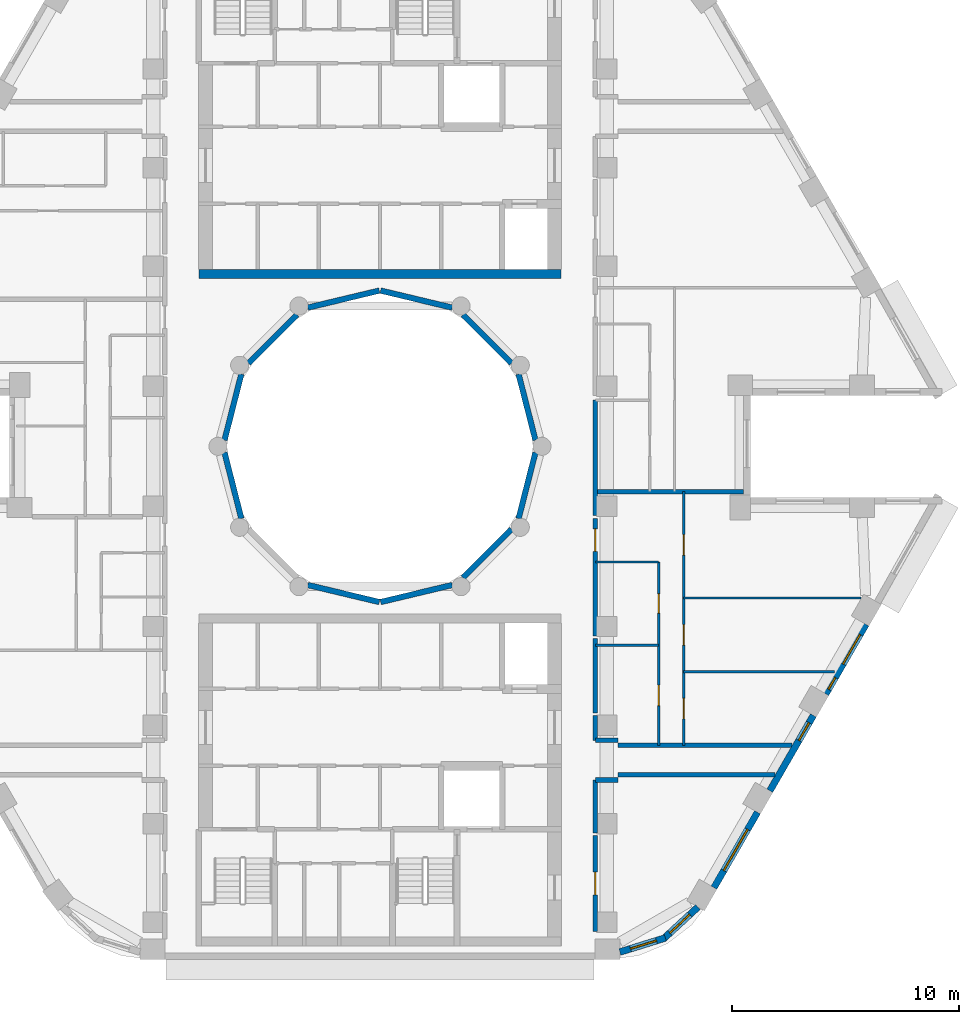
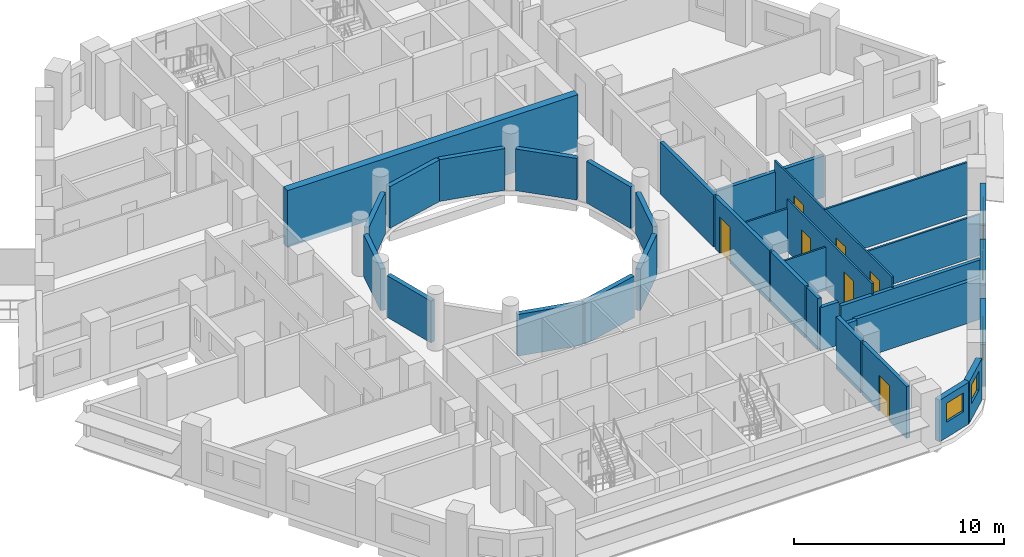
# One storey, part 5 of 13: 34 walls, 7 doors, 6 windows, 13 openings.
"""IFC4 building model written with IfcOpenShell, lengths in metres."""

from ifc_helpers import new_model, si_unit, direction, frame, frame_2d, origin, place, context, subcontext, project, spatial, rectangle, extrude, material, layer, layer_set, type_object, element, fill, save


model = new_model("IFC4")

# Units and contexts
model_context = context("Model", 3, precision=1e-05, world=origin(), true_north=direction((0.0, 1.0)))
body_context = subcontext(model_context, "Body", "Model", "MODEL_VIEW")
ifc_project = project(units=[si_unit("LENGTHUNIT", "METRE"), si_unit("AREAUNIT", "SQUARE_METRE"), si_unit("VOLUMEUNIT", "CUBIC_METRE"), si_unit("PLANEANGLEUNIT", "RADIAN"), si_unit("MASSUNIT", "GRAM", prefix="KILO")], contexts=[model_context])

# Site, building, storey
site_placement = place(None, origin())
site = spatial("IfcSite", under=ifc_project, at=site_placement, CompositionType="ELEMENT")
building_placement = place(site_placement, origin())
building = spatial("IfcBuilding", under=site, at=building_placement, Name="Nakaniwa Court", CompositionType="ELEMENT")
storey_placement = place(building_placement, frame((0.0, 0.0, 242.699951171875)))
storey = spatial("IfcBuildingStorey", under=building, at=storey_placement, Name="L63", CompositionType="ELEMENT", Elevation=242.699951171875)

# Wall, opening, door
ifc_material_1 = material(Name="Acoustic double stud partition")
ifc_layer_1 = layer(ifc_material_1, 0.199951171875)
ifc_layer_set_1 = layer_set([ifc_layer_1], Name="Acoustic double stud partition")
wall_type_1 = type_object("IfcWallType", Name="Acoustic double stud partition 200", PredefinedType="PARTITIONING", material=ifc_layer_set_1)
wall_1_placement = place(storey_placement, frame((89.5, 62.822998046875, 0.0), z_axis=(0.0, 0.0, 1.0), x_axis=(0.0, -1.0, 0.0)))
wall_1 = element("IfcWall", 1, at=wall_1_placement, inside=storey, type_object=wall_type_1, Name="Partition PW-061", PredefinedType="PARTITIONING", context=body_context, shape_type="SweptSolid", body=[
    extrude(rectangle(XDim=4.236083984375, YDim=0.199951171875, at=frame_2d((2.1181640625, 0.0))), origin(), (0.0, 0.0, 1.0), 3.025146484375),
])
opening_1_placement = place(wall_1_placement, frame((1.617919921875, 0.0, 0.0)))
opening_1 = element("IfcOpeningElement", 2, at=opening_1_placement, cuts=wall_1, Name="Opening D-02-01", PredefinedType="OPENING", context=body_context, shape_type="SweptSolid", body=[
    extrude(rectangle(XDim=1.0, YDim=2.10009765625, at=frame_2d((0.5, 1.050048828125))), frame((0.0, 0.10986328125, 0.0), z_axis=(0.0, -1.0, 0.0), x_axis=(1.0, 0.0, 0.0)), (0.0, 0.0, 1.0), 0.219970703125),
])
ifc_material_2 = material(Name="Solid core timber door set, black veneer", Category="wood")
door_type_1 = type_object("IfcDoorType", Name="Internal door 1000", OperationType="NOTDEFINED", PredefinedType="DOOR", material=ifc_material_2)
door_1_placement = place(opening_1_placement, origin())
door_1 = element("IfcDoor", 3, at=door_1_placement, inside=storey, type_object=door_type_1, Name="Door D-02-01 L63-033", OperationType="SINGLE_SWING_RIGHT", OverallHeight=2.10009765625, OverallWidth=1.0, PredefinedType="DOOR", context=body_context, shape_type="SweptSolid", body=[
    extrude(rectangle(XDim=1.0, YDim=2.10009765625, at=frame_2d((0.5, 1.050048828125))), frame((0.0, 0.02490234375, 0.0), z_axis=(0.0, -1.0, 0.0), x_axis=(1.0, 0.0, 0.0)), (0.0, 0.0, 1.0), 0.050048828125),
])
fill(opening_1, door_1)

# Walls
wall_2_placement = place(storey_placement, frame((89.5, 62.93701171875, 0.0), z_axis=(0.0, 0.0, 1.0), x_axis=(0.0, 1.0, 0.0)))
element("IfcWall", 4, at=wall_2_placement, inside=storey, type_object=wall_type_1, Name="Partition PW-062", PredefinedType="PARTITIONING", context=body_context, shape_type="SweptSolid", body=[
    extrude(rectangle(XDim=2.341064453125, YDim=0.199951171875, at=frame_2d((1.17041015625, 0.0))), origin(), (0.0, 0.0, 1.0), 3.025146484375),
])
wall_3_placement = place(storey_placement, frame((89.5, 67.02197265625, 0.0), z_axis=(0.0, 0.0, 1.0), x_axis=(0.0, 1.0, 0.0)))
element("IfcWall", 5, at=wall_3_placement, inside=storey, type_object=wall_type_1, Name="Partition PW-063", PredefinedType="PARTITIONING", context=body_context, shape_type="SweptSolid", body=[
    extrude(rectangle(XDim=1.091064453125, YDim=0.199951171875, at=frame_2d((0.54541015625, 0.0))), origin(), (0.0, 0.0, 1.0), 3.025146484375),
])
wall_4_placement = place(storey_placement, frame((89.5, 68.22705078125, 0.0), z_axis=(0.0, 0.0, 1.0), x_axis=(0.0, 1.0, 0.0)))
element("IfcWall", 6, at=wall_4_placement, inside=storey, type_object=wall_type_1, Name="Partition PW-064", PredefinedType="PARTITIONING", context=body_context, shape_type="SweptSolid", body=[
    extrude(rectangle(XDim=3.2958984375, YDim=0.199951171875, at=frame_2d((1.64794921875, 0.0))), origin(), (0.0, 0.0, 1.0), 3.025146484375),
])

# Wall, opening, door
wall_5_placement = place(storey_placement, frame((89.5, 76.822998046875, 0.0), z_axis=(0.0, 0.0, 1.0), x_axis=(0.0, -1.0, 0.0)))
wall_5 = element("IfcWall", 7, at=wall_5_placement, inside=storey, type_object=wall_type_1, Name="Partition PW-065", PredefinedType="PARTITIONING", context=body_context, shape_type="SweptSolid", body=[
    extrude(rectangle(XDim=5.18603515625, YDim=0.199951171875, at=frame_2d((2.593017578125, 0.0))), origin(), (0.0, 0.0, 1.0), 3.025146484375),
])
opening_2_placement = place(wall_5_placement, frame((0.462890625, 0.0, 0.0)))
opening_2 = element("IfcOpeningElement", 8, at=opening_2_placement, cuts=wall_5, Name="Opening D-01-01", PredefinedType="OPENING", context=body_context, shape_type="SweptSolid", body=[
    extrude(rectangle(XDim=1.0, YDim=2.10009765625, at=frame_2d((0.5, 1.050048828125))), frame((0.0, 0.10986328125, 0.0), z_axis=(0.0, -1.0, 0.0), x_axis=(1.0, 0.0, 0.0)), (0.0, 0.0, 1.0), 0.219970703125),
])
door_type_2 = type_object("IfcDoorType", Name="Flat entrance door 1000", OperationType="NOTDEFINED", PredefinedType="DOOR", material=ifc_material_2)
door_2_placement = place(opening_2_placement, origin())
door_2 = element("IfcDoor", 9, at=door_2_placement, inside=storey, type_object=door_type_2, Name="Door D-01-01 L63-034", OperationType="SINGLE_SWING_LEFT", OverallHeight=2.10009765625, OverallWidth=1.0, PredefinedType="DOOR", context=body_context, shape_type="SweptSolid", body=[
    extrude(rectangle(XDim=1.0, YDim=2.10009765625, at=frame_2d((0.5, 1.050048828125))), frame((0.0, 0.02490234375, 0.0), z_axis=(0.0, -1.0, 0.0), x_axis=(1.0, 0.0, 0.0)), (0.0, 0.0, 1.0), 0.050048828125),
])
fill(opening_2, door_2)

# Walls
wall_6_placement = place(storey_placement, frame((89.5, 76.93701171875, 0.0), z_axis=(0.0, 0.0, 1.0), x_axis=(0.0, 1.0, 0.0)))
element("IfcWall", 10, at=wall_6_placement, inside=storey, type_object=wall_type_1, Name="Partition PW-066", PredefinedType="PARTITIONING", context=body_context, shape_type="SweptSolid", body=[
    extrude(rectangle(XDim=5.102294921875, YDim=0.199951171875, at=frame_2d((2.55126953125, 0.0))), origin(), (0.0, 0.0, 1.0), 3.025146484375),
])
wall_7_placement = place(storey_placement, frame((90.5, 65.5, 0.0), z_axis=(0.0, 0.0, 1.0), x_axis=(1.0, 0.0, 0.0)))
element("IfcWall", 11, at=wall_7_placement, inside=storey, type_object=wall_type_1, Name="Partition PW-082", PredefinedType="PARTITIONING", context=body_context, shape_type="SweptSolid", body=[
    extrude(rectangle(XDim=6.93603515625, YDim=0.199951171875, at=frame_2d((3.468017578125, 0.0))), origin(), (0.0, 0.0, 1.0), 2.405029296875),
])
for number, where, z_axis, x_axis, name in (
    (12, (89.5, 65.27490234375, 0.0), (0.0, 0.0, 1.0), (1.0, 0.0, 0.0), "Partition PW-084"),
    (13, (89.5, 67.02490234375, 0.0), (0.0, 0.0, 1.0), (1.0, 0.0, 0.0), "Partition PW-086"),
):
    element("IfcWall", number, at=place(storey_placement, frame(where, z_axis=z_axis, x_axis=x_axis)), inside=storey, type_object=wall_type_1, Name=name, PredefinedType="PARTITIONING", context=body_context, shape_type="SweptSolid", body=[
        extrude(rectangle(XDim=1.0, YDim=0.199951171875, at=frame_2d((0.5, 0.0))), origin(), (0.0, 0.0, 1.0), 2.505126953125),
    ])
wall_8_placement = place(storey_placement, frame((90.5, 66.800048828125, 0.0), z_axis=(0.0, 0.0, 1.0), x_axis=(1.0, 0.0, 0.0)))
element("IfcWall", 14, at=wall_8_placement, inside=storey, type_object=wall_type_1, Name="Partition PW-088", PredefinedType="PARTITIONING", context=body_context, shape_type="SweptSolid", body=[
    extrude(rectangle(XDim=7.6865234375, YDim=0.199951171875, at=frame_2d((3.84326171875, 0.0))), origin(), (0.0, 0.0, 1.0), 2.405029296875),
])
wall_9_placement = place(storey_placement, frame((89.5, 78.0, 0.0), z_axis=(0.0, 0.0, 1.0), x_axis=(1.0, 0.0, 0.0)))
element("IfcWall", 15, at=wall_9_placement, inside=storey, type_object=wall_type_1, Name="Partition PW-105", PredefinedType="PARTITIONING", context=body_context, shape_type="SweptSolid", body=[
    extrude(rectangle(XDim=6.549560546875, YDim=0.199951171875, at=frame_2d((3.27490234375, 0.0))), origin(), (0.0, 0.0, 1.0), 2.405029296875),
])

# Wall, opening, window
ifc_material_3 = material(Name="Charcoal ceramic cladding")
ifc_layer_2 = layer(ifc_material_3, 0.02, Name="Ceramic cladding")
ifc_material_4 = material(Name="Ventilated air cavity")
ifc_layer_3 = layer(ifc_material_4, 0.04, ventilated=True, Name="Ventilated cavity")
ifc_material_5 = material(Name="Mineral wool insulation")
ifc_layer_4 = layer(ifc_material_5, 0.1, Name="Insulation")
ifc_material_6 = material(Name="Cement bonded sheathing board")
ifc_layer_5 = layer(ifc_material_6, 0.012, Name="Sheathing")
ifc_material_7 = material(Name="Cold-formed galvanised stud frame with mineral wool infill")
ifc_layer_6 = layer(ifc_material_7, 0.1, Name="Stud frame")
ifc_material_8 = material(Name="Fire-rated gypsum plasterboard lining")
ifc_layer_7 = layer(ifc_material_8, 0.028, Name="Lining")
ifc_layer_set_2 = layer_set([ifc_layer_2, ifc_layer_3, ifc_layer_4, ifc_layer_5, ifc_layer_6, ifc_layer_7], Name="Charcoal ceramic faced external wall system")
wall_type_2 = type_object("IfcWallType", Name="Black ceramic faced external wall 300", PredefinedType="SOLIDWALL", material=ifc_layer_set_2)
wall_10_placement = place(storey_placement, frame((90.585693359375, 57.68408203125, 0.0), z_axis=(0.0, 0.0, 1.0), x_axis=(0.954941641926, 0.296793632875, 0.0)))
wall_10 = element("IfcWall", 16, at=wall_10_placement, inside=storey, type_object=wall_type_2, Name="L63 external wall 27", PredefinedType="SOLIDWALL", context=body_context, shape_type="SweptSolid", body=[
    extrude(rectangle(XDim=2.1025390625, YDim=0.300048828125, at=frame_2d((1.05126953125, 0.0))), origin(), (0.0, 0.0, 1.0), 2.425048828125),
])
opening_3_placement = place(wall_10_placement, frame((0.490234375, 0.0, 0.89990234375)))
opening_3 = element("IfcOpeningElement", 17, at=opening_3_placement, cuts=wall_10, Name="Opening W6.26", PredefinedType="OPENING", context=body_context, shape_type="SweptSolid", body=[
    extrude(rectangle(XDim=1.199951171875, YDim=1.10009765625, at=frame_2d((0.60009765625, 0.550048828125))), frame((0.0, 0.159912109375, 0.0), z_axis=(0.0, -1.0, 0.0), x_axis=(1.0, 0.0, 0.0)), (0.0, 0.0, 1.0), 0.320068359375),
])
ifc_material_9 = material(Name="Black anodised aluminium frame with dark low-E laminated double glazing", Category="aluminium")
window_type_1 = type_object("IfcWindowType", Name="Dark glass window 1200x1100 sill 900", PartitioningType="SINGLE_PANEL", PredefinedType="WINDOW", material=ifc_material_9)
window_1_placement = place(opening_3_placement, origin())
window_1 = element("IfcWindow", 18, at=window_1_placement, inside=storey, type_object=window_type_1, Name="L63 habitable room window 27-0", OverallHeight=1.10009765625, OverallWidth=1.199951171875, PartitioningType="SINGLE_PANEL", PredefinedType="WINDOW", context=body_context, shape_type="SweptSolid", body=[
    extrude(rectangle(XDim=1.199951171875, YDim=1.10009765625, at=frame_2d((0.60009765625, 0.550048828125))), frame((0.0, 0.030029296875, 0.0), z_axis=(0.0, -1.0, 0.0), x_axis=(1.0, 0.0, 0.0)), (0.0, 0.0, 1.0), 0.06005859375),
])
fill(opening_3, window_1)

wall_11_placement = place(storey_placement, frame((92.489501953125, 58.247314453125, 0.0), z_axis=(0.0, 0.0, 1.0), x_axis=(0.734830223907, 0.678251090698, 0.0)))
wall_11 = element("IfcWall", 19, at=wall_11_placement, inside=storey, type_object=wall_type_2, Name="L63 external wall 28", PredefinedType="SOLIDWALL", context=body_context, shape_type="SweptSolid", body=[
    extrude(rectangle(XDim=2.09716796875, YDim=0.300048828125, at=frame_2d((1.048583984375, 0.0))), origin(), (0.0, 0.0, 1.0), 2.425048828125),
])
opening_4_placement = place(wall_11_placement, frame((0.409423828125, 0.0, 0.89990234375)))
opening_4 = element("IfcOpeningElement", 20, at=opening_4_placement, cuts=wall_11, Name="Opening W6.27", PredefinedType="OPENING", context=body_context, shape_type="SweptSolid", body=[
    extrude(rectangle(XDim=1.199951171875, YDim=1.10009765625, at=frame_2d((0.60009765625, 0.550048828125))), frame((0.0, 0.159912109375, 0.0), z_axis=(0.0, -1.0, 0.0), x_axis=(1.0, 0.0, 0.0)), (0.0, 0.0, 1.0), 0.320068359375),
])
window_2_placement = place(opening_4_placement, origin())
window_2 = element("IfcWindow", 21, at=window_2_placement, inside=storey, type_object=window_type_1, Name="L63 habitable room window 28-0", OverallHeight=1.10009765625, OverallWidth=1.199951171875, PartitioningType="SINGLE_PANEL", PredefinedType="WINDOW", context=body_context, shape_type="SweptSolid", body=[
    extrude(rectangle(XDim=1.199951171875, YDim=1.10009765625, at=frame_2d((0.60009765625, 0.550048828125))), frame((0.0, 0.030029296875, 0.0), z_axis=(0.0, -1.0, 0.0), x_axis=(1.0, 0.0, 0.0)), (0.0, 0.0, 1.0), 0.06005859375),
])
fill(opening_4, window_2)

wall_12_placement = place(storey_placement, frame((94.73583984375, 60.523193359375, 0.0), z_axis=(0.0, 0.0, 1.0), x_axis=(0.499984490703, 0.866034357896, 0.0)))
wall_12 = element("IfcWall", 22, at=wall_12_placement, inside=storey, type_object=wall_type_2, Name="L63 external wall 29", PredefinedType="SOLIDWALL", context=body_context, shape_type="SweptSolid", body=[
    extrude(rectangle(XDim=3.84423828125, YDim=0.300048828125, at=frame_2d((1.922119140625, 0.0))), origin(), (0.0, 0.0, 1.0), 2.425048828125),
])
opening_5_placement = place(wall_12_placement, frame((0.8720703125, 0.0, 0.89990234375)))
opening_5 = element("IfcOpeningElement", 23, at=opening_5_placement, cuts=wall_12, Name="Opening W7.28", PredefinedType="OPENING", context=body_context, shape_type="SweptSolid", body=[
    extrude(rectangle(XDim=2.10009765625, YDim=1.10009765625, at=frame_2d((1.050048828125, 0.550048828125))), frame((0.0, 0.159912109375, 0.0), z_axis=(0.0, -1.0, 0.0), x_axis=(1.0, 0.0, 0.0)), (0.0, 0.0, 1.0), 0.320068359375),
])
window_type_2 = type_object("IfcWindowType", Name="Dark glass window 2100x1100 sill 900", PartitioningType="SINGLE_PANEL", PredefinedType="WINDOW", material=ifc_material_9)
window_3_placement = place(opening_5_placement, origin())
window_3 = element("IfcWindow", 24, at=window_3_placement, inside=storey, type_object=window_type_2, Name="L63 habitable room window 29-0", OverallHeight=1.10009765625, OverallWidth=2.10009765625, PartitioningType="SINGLE_PANEL", PredefinedType="WINDOW", context=body_context, shape_type="SweptSolid", body=[
    extrude(rectangle(XDim=2.10009765625, YDim=1.10009765625, at=frame_2d((1.050048828125, 0.550048828125))), frame((0.0, 0.030029296875, 0.0), z_axis=(0.0, -1.0, 0.0), x_axis=(1.0, 0.0, 0.0)), (0.0, 0.0, 1.0), 0.06005859375),
])
fill(opening_5, window_3)

wall_13_placement = place(storey_placement, frame((97.2041015625, 64.798095703125, 0.0), z_axis=(0.0, 0.0, 1.0), x_axis=(0.499984490703, 0.866034357896, 0.0)))
wall_13 = element("IfcWall", 25, at=wall_13_placement, inside=storey, type_object=wall_type_2, Name="L63 external wall 30", PredefinedType="SOLIDWALL", context=body_context, shape_type="SweptSolid", body=[
    extrude(rectangle(XDim=3.84423828125, YDim=0.300048828125, at=frame_2d((1.922119140625, 0.0))), origin(), (0.0, 0.0, 1.0), 2.425048828125),
])
opening_6_placement = place(wall_13_placement, frame((2.56689453125, 0.0, 0.89990234375)))
opening_6 = element("IfcOpeningElement", 26, at=opening_6_placement, cuts=wall_13, Name="Opening W9.29", PredefinedType="OPENING", context=body_context, shape_type="SweptSolid", body=[
    extrude(rectangle(XDim=0.89990234375, YDim=1.10009765625, at=frame_2d((0.449951171875, 0.550048828125))), frame((0.0, 0.159912109375, 0.0), z_axis=(0.0, -1.0, 0.0), x_axis=(1.0, 0.0, 0.0)), (0.0, 0.0, 1.0), 0.320068359375),
])
window_type_3 = type_object("IfcWindowType", Name="Dark glass window 900x1100 sill 900", PartitioningType="SINGLE_PANEL", PredefinedType="WINDOW", material=ifc_material_9)
window_4_placement = place(opening_6_placement, origin())
window_4 = element("IfcWindow", 27, at=window_4_placement, inside=storey, type_object=window_type_3, Name="L63 bedroom window 30-2", OverallHeight=1.10009765625, OverallWidth=0.89990234375, PartitioningType="SINGLE_PANEL", PredefinedType="WINDOW", context=body_context, shape_type="SweptSolid", body=[
    extrude(rectangle(XDim=0.89990234375, YDim=1.10009765625, at=frame_2d((0.449951171875, 0.550048828125))), frame((0.0, 0.030029296875, 0.0), z_axis=(0.0, -1.0, 0.0), x_axis=(1.0, 0.0, 0.0)), (0.0, 0.0, 1.0), 0.06005859375),
])
fill(opening_6, window_4)

# Wall, openings, windows
wall_14_placement = place(storey_placement, frame((99.672119140625, 69.072998046875, 0.0), z_axis=(0.0, 0.0, 1.0), x_axis=(0.500010404316, 0.866019396766, 0.0)))
wall_14 = element("IfcWall", 28, at=wall_14_placement, inside=storey, type_object=wall_type_2, Name="L63 external wall 31", PredefinedType="SOLIDWALL", context=body_context, shape_type="SweptSolid", body=[
    extrude(rectangle(XDim=3.54736328125, YDim=0.300048828125, at=frame_2d((1.773681640625, 0.0))), origin(), (0.0, 0.0, 1.0), 2.425048828125),
])
opening_7_placement = place(wall_14_placement, frame((0.240966796875, 0.0, 0.89990234375)))
opening_7 = element("IfcOpeningElement", 29, at=opening_7_placement, cuts=wall_14, Name="Opening W8.30", PredefinedType="OPENING", context=body_context, shape_type="SweptSolid", body=[
    extrude(rectangle(XDim=0.60009765625, YDim=1.10009765625, at=frame_2d((0.300048828125, 0.550048828125))), frame((0.0, 0.159912109375, 0.0), z_axis=(0.0, -1.0, 0.0), x_axis=(1.0, 0.0, 0.0)), (0.0, 0.0, 1.0), 0.320068359375),
])
opening_8_placement = place(wall_14_placement, frame((1.52734375, 0.0, 0.89990234375)))
opening_8 = element("IfcOpeningElement", 30, at=opening_8_placement, cuts=wall_14, Name="Opening W5.31", PredefinedType="OPENING", context=body_context, shape_type="SweptSolid", body=[
    extrude(rectangle(XDim=1.5, YDim=1.10009765625, at=frame_2d((0.75, 0.550048828125))), frame((0.0, 0.159912109375, 0.0), z_axis=(0.0, -1.0, 0.0), x_axis=(1.0, 0.0, 0.0)), (0.0, 0.0, 1.0), 0.320068359375),
])
window_type_4 = type_object("IfcWindowType", Name="Dark glass window 1500x1100 sill 900", PartitioningType="SINGLE_PANEL", PredefinedType="WINDOW", material=ifc_material_9)
window_5_placement = place(opening_8_placement, origin())
window_5 = element("IfcWindow", 31, at=window_5_placement, inside=storey, type_object=window_type_4, Name="L63 bedroom window 31-1", OverallHeight=1.10009765625, OverallWidth=1.5, PartitioningType="SINGLE_PANEL", PredefinedType="WINDOW", context=body_context, shape_type="SweptSolid", body=[
    extrude(rectangle(XDim=1.5, YDim=1.10009765625, at=frame_2d((0.75, 0.550048828125))), frame((0.0, 0.030029296875, 0.0), z_axis=(0.0, -1.0, 0.0), x_axis=(1.0, 0.0, 0.0)), (0.0, 0.0, 1.0), 0.06005859375),
])
fill(opening_8, window_5)
window_type_5 = type_object("IfcWindowType", Name="Dark glass window 600x1100 sill 900", PartitioningType="SINGLE_PANEL", PredefinedType="WINDOW", material=ifc_material_9)
window_6_placement = place(opening_7_placement, origin())
window_6 = element("IfcWindow", 32, at=window_6_placement, inside=storey, type_object=window_type_5, Name="L63 bedroom window 31-0", OverallHeight=1.10009765625, OverallWidth=0.60009765625, PartitioningType="SINGLE_PANEL", PredefinedType="WINDOW", context=body_context, shape_type="SweptSolid", body=[
    extrude(rectangle(XDim=0.60009765625, YDim=1.10009765625, at=frame_2d((0.300048828125, 0.550048828125))), frame((0.0, 0.030029296875, 0.0), z_axis=(0.0, -1.0, 0.0), x_axis=(1.0, 0.0, 0.0)), (0.0, 0.0, 1.0), 0.06005859375),
])
fill(opening_7, window_6)

# Walls
ifc_layer_8 = layer(ifc_material_3, 0.02, Name="Ceramic cladding")
ifc_layer_9 = layer(ifc_material_4, 0.04, ventilated=True, Name="Ventilated cavity")
ifc_layer_10 = layer(ifc_material_5, 0.075, Name="Insulation")
ifc_layer_11 = layer(ifc_material_6, 0.012, Name="Sheathing")
ifc_layer_12 = layer(ifc_material_7, 0.075, Name="Stud frame")
ifc_layer_13 = layer(ifc_material_8, 0.028, Name="Lining")
ifc_layer_set_3 = layer_set([ifc_layer_8, ifc_layer_9, ifc_layer_10, ifc_layer_11, ifc_layer_12, ifc_layer_13], Name="Charcoal ceramic faced external wall system")
wall_type_3 = type_object("IfcWallType", Name="Charcoal ceramic faced well wall 250", PredefinedType="SOLIDWALL", material=ifc_layer_set_3)
wall_15_placement = place(storey_placement, frame((86.8603515625, 79.72998046875, 0.0), z_axis=(0.0, 0.0, 1.0), x_axis=(-0.247055971283, -0.969001211069, 0.0)))
element("IfcWall", 33, at=wall_15_placement, inside=storey, type_object=wall_type_3, Name="L63 external wall 36", PredefinedType="SOLIDWALL", context=body_context, shape_type="SweptSolid", body=[
    extrude(rectangle(XDim=3.010009765625, YDim=0.25, at=frame_2d((1.5048828125, 0.0))), origin(), (0.0, 0.0, 1.0), 2.425048828125),
])
wall_16_placement = place(storey_placement, frame((85.8056640625, 76.339111328125, 0.0), z_axis=(0.0, 0.0, 1.0), x_axis=(-0.707106781187, -0.707106781187, 0.0)))
element("IfcWall", 34, at=wall_16_placement, inside=storey, type_object=wall_type_3, Name="L63 external wall 37", PredefinedType="SOLIDWALL", context=body_context, shape_type="SweptSolid", body=[
    extrude(rectangle(XDim=3.033203125, YDim=0.25, at=frame_2d((1.5166015625, 0.0))), origin(), (0.0, 0.0, 1.0), 2.425048828125),
])
for number, where, z_axis, x_axis, name in (
    (35, (83.186279296875, 73.880615234375, 0.0), (0.0, 0.0, 1.0), (-0.972773113459, -0.231759508395, 0.0), "L63 external wall 38"),
    (36, (79.970947265625, 73.12841796875, 0.0), (0.0, 0.0, 1.0), (-0.972773113459, 0.231759508395, 0.0), "L63 external wall 39"),
):
    element("IfcWall", number, at=place(storey_placement, frame(where, z_axis=z_axis, x_axis=x_axis)), inside=storey, type_object=wall_type_3, Name=name, PredefinedType="SOLIDWALL", context=body_context, shape_type="SweptSolid", body=[
        extrude(rectangle(XDim=3.24560546875, YDim=0.25, at=frame_2d((1.622802734375, 0.0))), origin(), (0.0, 0.0, 1.0), 2.425048828125),
    ])
for number, where, z_axis, x_axis, name in (
    (37, (73.88330078125, 76.813232421875, 0.0), (0.0, 0.0, 1.0), (-0.247055971283, 0.969001211069, 0.0), "L63 external wall 41"),
    (38, (73.1396484375, 80.27001953125, 0.0), (0.0, 0.0, 1.0), (0.247055971283, 0.969001211069, 0.0), "L63 external wall 42"),
):
    element("IfcWall", number, at=place(storey_placement, frame(where, z_axis=z_axis, x_axis=x_axis)), inside=storey, type_object=wall_type_3, Name=name, PredefinedType="SOLIDWALL", context=body_context, shape_type="SweptSolid", body=[
        extrude(rectangle(XDim=3.010009765625, YDim=0.25, at=frame_2d((1.5048828125, 0.0))), origin(), (0.0, 0.0, 1.0), 2.425048828125),
    ])
wall_17_placement = place(storey_placement, frame((74.1943359375, 83.660888671875, 0.0), z_axis=(0.0, 0.0, 1.0), x_axis=(0.707106781187, 0.707106781187, 0.0)))
element("IfcWall", 39, at=wall_17_placement, inside=storey, type_object=wall_type_3, Name="L63 external wall 43", PredefinedType="SOLIDWALL", context=body_context, shape_type="SweptSolid", body=[
    extrude(rectangle(XDim=3.033203125, YDim=0.25, at=frame_2d((1.5166015625, 0.0))), origin(), (0.0, 0.0, 1.0), 2.425048828125),
])
for number, where, z_axis, x_axis, name in (
    (40, (76.813720703125, 86.119384765625, 0.0), (0.0, 0.0, 1.0), (0.972773113459, 0.231759508395, 0.0), "L63 external wall 44"),
    (41, (80.029052734375, 86.87158203125, 0.0), (0.0, 0.0, 1.0), (0.972773113459, -0.231759508395, 0.0), "L63 external wall 45"),
):
    element("IfcWall", number, at=place(storey_placement, frame(where, z_axis=z_axis, x_axis=x_axis)), inside=storey, type_object=wall_type_3, Name=name, PredefinedType="SOLIDWALL", context=body_context, shape_type="SweptSolid", body=[
        extrude(rectangle(XDim=3.24560546875, YDim=0.25, at=frame_2d((1.622802734375, 0.0))), origin(), (0.0, 0.0, 1.0), 2.425048828125),
    ])
wall_18_placement = place(storey_placement, frame((83.660888671875, 85.8056640625, 0.0), z_axis=(0.0, 0.0, 1.0), x_axis=(0.707106781187, -0.707106781187, 0.0)))
element("IfcWall", 42, at=wall_18_placement, inside=storey, type_object=wall_type_3, Name="L63 external wall 46", PredefinedType="SOLIDWALL", context=body_context, shape_type="SweptSolid", body=[
    extrude(rectangle(XDim=3.033203125, YDim=0.25, at=frame_2d((1.5166015625, 0.0))), origin(), (0.0, 0.0, 1.0), 2.425048828125),
])
wall_19_placement = place(storey_placement, frame((86.11669921875, 83.186767578125, 0.0), z_axis=(0.0, 0.0, 1.0), x_axis=(0.247055971283, -0.969001211069, 0.0)))
element("IfcWall", 43, at=wall_19_placement, inside=storey, type_object=wall_type_3, Name="L63 external wall 47", PredefinedType="SOLIDWALL", context=body_context, shape_type="SweptSolid", body=[
    extrude(rectangle(XDim=3.010009765625, YDim=0.25, at=frame_2d((1.5048828125, 0.0))), origin(), (0.0, 0.0, 1.0), 2.425048828125),
])
ifc_material_10 = material(Name="Concrete C80/100", Category="concrete")
ifc_layer_14 = layer(ifc_material_10, 0.39990234375)
ifc_layer_set_4 = layer_set([ifc_layer_14], Name="Concrete C80/100")
wall_type_4 = type_object("IfcWallType", Name="Concrete core well wall 400 C80", PredefinedType="SHEAR", material=ifc_layer_set_4)
wall_20_placement = place(storey_placement, frame((72.00390625, 87.60009765625, -0.27490234375), z_axis=(0.0, 0.0, 1.0), x_axis=(1.0, 0.0, 0.0)))
element("IfcWall", 44, at=wall_20_placement, inside=storey, type_object=wall_type_4, Name="Core wall SW-130", PredefinedType="SHEAR", context=body_context, shape_type="SweptSolid", body=[
    extrude(rectangle(XDim=15.9921875, YDim=0.39990234375, at=frame_2d((7.99609375, 0.0))), origin(), (0.0, 0.0, 1.0), 3.300048828125),
])
ifc_material_11 = material(Name="Single stud plasterboard partition")
ifc_layer_15 = layer(ifc_material_11, 0.10009765625)
ifc_layer_set_5 = layer_set([ifc_layer_15], Name="Single stud plasterboard partition")
wall_type_5 = type_object("IfcWallType", Name="Single stud plasterboard partition 100", PredefinedType="PARTITIONING", material=ifc_layer_set_5)
wall_21_placement = place(storey_placement, frame((89.5, 71.218017578125, 0.0), z_axis=(0.0, 0.0, 1.0), x_axis=(1.0, 0.0, 0.0)))
element("IfcWall", 45, at=wall_21_placement, inside=storey, type_object=wall_type_5, Name="Partition PW-101", PredefinedType="PARTITIONING", context=body_context, shape_type="SweptSolid", body=[
    extrude(rectangle(XDim=2.800048828125, YDim=0.10009765625, at=frame_2d((1.39990234375, 0.0))), origin(), (0.0, 0.0, 1.0), 2.505126953125),
])

# Wall, openings, doors
wall_22_placement = place(storey_placement, frame((92.300048828125, 66.800048828125, 0.0), z_axis=(0.0, 0.0, 1.0), x_axis=(0.0, 1.0, 0.0)))
wall_22 = element("IfcWall", 46, at=wall_22_placement, inside=storey, type_object=wall_type_5, Name="Partition PW-102", PredefinedType="PARTITIONING", context=body_context, shape_type="SweptSolid", body=[
    extrude(rectangle(XDim=8.099853515625, YDim=0.10009765625, at=frame_2d((4.0498046875, 0.0))), origin(), (0.0, 0.0, 1.0), 3.025146484375),
])
opening_9_placement = place(wall_22_placement, frame((1.759033203125, 0.0, 0.0)))
opening_9 = element("IfcOpeningElement", 47, at=opening_9_placement, cuts=wall_22, Name="Opening D-33-01", PredefinedType="OPENING", context=body_context, shape_type="SweptSolid", body=[
    extrude(rectangle(XDim=0.89990234375, YDim=2.10009765625, at=frame_2d((0.449951171875, 1.050048828125))), frame((0.0, 0.06005859375, 0.0), z_axis=(0.0, -1.0, 0.0), x_axis=(1.0, 0.0, 0.0)), (0.0, 0.0, 1.0), 0.1201171875),
])
opening_10_placement = place(wall_22_placement, frame((5.833984375, 0.0, 0.0)))
opening_10 = element("IfcOpeningElement", 48, at=opening_10_placement, cuts=wall_22, Name="Opening D-03-01", PredefinedType="OPENING", context=body_context, shape_type="SweptSolid", body=[
    extrude(rectangle(XDim=0.85009765625, YDim=2.10009765625, at=frame_2d((0.425048828125, 1.050048828125))), frame((0.0, 0.06005859375, 0.0), z_axis=(0.0, -1.0, 0.0), x_axis=(1.0, 0.0, 0.0)), (0.0, 0.0, 1.0), 0.1201171875),
])
ifc_material_12 = material(Name="Moisture sealed timber door set", Category="wood")
door_type_3 = type_object("IfcDoorType", Name="Bathroom door 850", OperationType="NOTDEFINED", PredefinedType="DOOR", material=ifc_material_12)
door_3_placement = place(opening_10_placement, origin())
door_3 = element("IfcDoor", 49, at=door_3_placement, inside=storey, type_object=door_type_3, Name="Door D-03-01 L63-036", OperationType="SINGLE_SWING_LEFT", OverallHeight=2.10009765625, OverallWidth=0.85009765625, PredefinedType="DOOR", context=body_context, shape_type="SweptSolid", body=[
    extrude(rectangle(XDim=0.85009765625, YDim=2.10009765625, at=frame_2d((0.425048828125, 1.050048828125))), frame((0.0, 0.02490234375, 0.0), z_axis=(0.0, -1.0, 0.0), x_axis=(1.0, 0.0, 0.0)), (0.0, 0.0, 1.0), 0.050048828125),
])
fill(opening_10, door_3)
door_type_4 = type_object("IfcDoorType", Name="Internal door 900", OperationType="NOTDEFINED", PredefinedType="DOOR", material=ifc_material_2)
door_4_placement = place(opening_9_placement, origin())
door_4 = element("IfcDoor", 50, at=door_4_placement, inside=storey, type_object=door_type_4, Name="Door D-33-01 L63-035", OperationType="SINGLE_SWING_RIGHT", OverallHeight=2.10009765625, OverallWidth=0.89990234375, PredefinedType="DOOR", context=body_context, shape_type="SweptSolid", body=[
    extrude(rectangle(XDim=0.89990234375, YDim=2.10009765625, at=frame_2d((0.449951171875, 1.050048828125))), frame((0.0, 0.02490234375, 0.0), z_axis=(0.0, -1.0, 0.0), x_axis=(1.0, 0.0, 0.0)), (0.0, 0.0, 1.0), 0.050048828125),
])
fill(opening_9, door_4)

# Wall
wall_23_placement = place(storey_placement, frame((89.5, 74.89990234375, 0.0), z_axis=(0.0, 0.0, 1.0), x_axis=(1.0, 0.0, 0.0)))
element("IfcWall", 51, at=wall_23_placement, inside=storey, type_object=wall_type_5, Name="Partition PW-103", PredefinedType="PARTITIONING", context=body_context, shape_type="SweptSolid", body=[
    extrude(rectangle(XDim=2.800048828125, YDim=0.10009765625, at=frame_2d((1.39990234375, 0.0))), origin(), (0.0, 0.0, 1.0), 2.505126953125),
])

# Wall, openings, doors
wall_24_placement = place(storey_placement, frame((93.39990234375, 78.0, 0.0), z_axis=(0.0, 0.0, 1.0), x_axis=(0.0, -1.0, 0.0)))
wall_24 = element("IfcWall", 52, at=wall_24_placement, inside=storey, type_object=wall_type_5, Name="Partition PW-104", PredefinedType="PARTITIONING", context=body_context, shape_type="SweptSolid", body=[
    extrude(rectangle(XDim=11.199951171875, YDim=0.10009765625, at=frame_2d((5.60009765625, 0.0))), origin(), (0.0, 0.0, 1.0), 3.025146484375),
])
opening_11_placement = place(wall_24_placement, frame((9.1240234375, 0.0, 0.0)))
opening_11 = element("IfcOpeningElement", 53, at=opening_11_placement, cuts=wall_24, Name="Opening D-33-02", PredefinedType="OPENING", context=body_context, shape_type="SweptSolid", body=[
    extrude(rectangle(XDim=0.89990234375, YDim=2.10009765625, at=frame_2d((0.449951171875, 1.050048828125))), frame((0.0, 0.06005859375, 0.0), z_axis=(0.0, -1.0, 0.0), x_axis=(1.0, 0.0, 0.0)), (0.0, 0.0, 1.0), 0.1201171875),
])
opening_12_placement = place(wall_24_placement, frame((5.873046875, 0.0, 0.0)))
opening_12 = element("IfcOpeningElement", 54, at=opening_12_placement, cuts=wall_24, Name="Opening D-33-03", PredefinedType="OPENING", context=body_context, shape_type="SweptSolid", body=[
    extrude(rectangle(XDim=0.89990234375, YDim=2.10009765625, at=frame_2d((0.449951171875, 1.050048828125))), frame((0.0, 0.06005859375, 0.0), z_axis=(0.0, -1.0, 0.0), x_axis=(1.0, 0.0, 0.0)), (0.0, 0.0, 1.0), 0.1201171875),
])
opening_13_placement = place(wall_24_placement, frame((1.89794921875, 0.0, 0.0)))
opening_13 = element("IfcOpeningElement", 55, at=opening_13_placement, cuts=wall_24, Name="Opening D-33-04", PredefinedType="OPENING", context=body_context, shape_type="SweptSolid", body=[
    extrude(rectangle(XDim=0.89990234375, YDim=2.10009765625, at=frame_2d((0.449951171875, 1.050048828125))), frame((0.0, 0.06005859375, 0.0), z_axis=(0.0, -1.0, 0.0), x_axis=(1.0, 0.0, 0.0)), (0.0, 0.0, 1.0), 0.1201171875),
])
door_5_placement = place(opening_11_placement, origin())
door_5 = element("IfcDoor", 56, at=door_5_placement, inside=storey, type_object=door_type_4, Name="Door D-33-02 L63-037", OperationType="SINGLE_SWING_RIGHT", OverallHeight=2.10009765625, OverallWidth=0.89990234375, PredefinedType="DOOR", context=body_context, shape_type="SweptSolid", body=[
    extrude(rectangle(XDim=0.89990234375, YDim=2.10009765625, at=frame_2d((0.449951171875, 1.050048828125))), frame((0.0, 0.02490234375, 0.0), z_axis=(0.0, -1.0, 0.0), x_axis=(1.0, 0.0, 0.0)), (0.0, 0.0, 1.0), 0.050048828125),
])
fill(opening_11, door_5)
door_6_placement = place(opening_12_placement, origin())
door_6 = element("IfcDoor", 57, at=door_6_placement, inside=storey, type_object=door_type_4, Name="Door D-33-03 L63-038", OperationType="SINGLE_SWING_LEFT", OverallHeight=2.10009765625, OverallWidth=0.89990234375, PredefinedType="DOOR", context=body_context, shape_type="SweptSolid", body=[
    extrude(rectangle(XDim=0.89990234375, YDim=2.10009765625, at=frame_2d((0.449951171875, 1.050048828125))), frame((0.0, 0.02490234375, 0.0), z_axis=(0.0, -1.0, 0.0), x_axis=(1.0, 0.0, 0.0)), (0.0, 0.0, 1.0), 0.050048828125),
])
fill(opening_12, door_6)
door_7_placement = place(opening_13_placement, origin())
door_7 = element("IfcDoor", 58, at=door_7_placement, inside=storey, type_object=door_type_4, Name="Door D-33-04 L63-039", OperationType="SINGLE_SWING_RIGHT", OverallHeight=2.10009765625, OverallWidth=0.89990234375, PredefinedType="DOOR", context=body_context, shape_type="SweptSolid", body=[
    extrude(rectangle(XDim=0.89990234375, YDim=2.10009765625, at=frame_2d((0.449951171875, 1.050048828125))), frame((0.0, 0.02490234375, 0.0), z_axis=(0.0, -1.0, 0.0), x_axis=(1.0, 0.0, 0.0)), (0.0, 0.0, 1.0), 0.050048828125),
])
fill(opening_13, door_7)

# Walls
wall_25_placement = place(storey_placement, frame((93.39990234375, 70.052001953125, 0.0), z_axis=(0.0, 0.0, 1.0), x_axis=(1.0, 0.0, 0.0)))
element("IfcWall", 59, at=wall_25_placement, inside=storey, type_object=wall_type_5, Name="Partition PW-106", PredefinedType="PARTITIONING", context=body_context, shape_type="SweptSolid", body=[
    extrude(rectangle(XDim=6.6640625, YDim=0.10009765625, at=frame_2d((3.33203125, 0.0))), origin(), (0.0, 0.0, 1.0), 2.405029296875),
])
wall_26_placement = place(storey_placement, frame((93.39990234375, 73.302978515625, 0.0), z_axis=(0.0, 0.0, 1.0), x_axis=(1.0, 0.0, 0.0)))
element("IfcWall", 60, at=wall_26_placement, inside=storey, type_object=wall_type_5, Name="Partition PW-107", PredefinedType="PARTITIONING", context=body_context, shape_type="SweptSolid", body=[
    extrude(rectangle(XDim=7.825439453125, YDim=0.10009765625, at=frame_2d((3.91259765625, 0.0))), origin(), (0.0, 0.0, 1.0), 3.025146484375),
])

save(model, "model.ifc")
